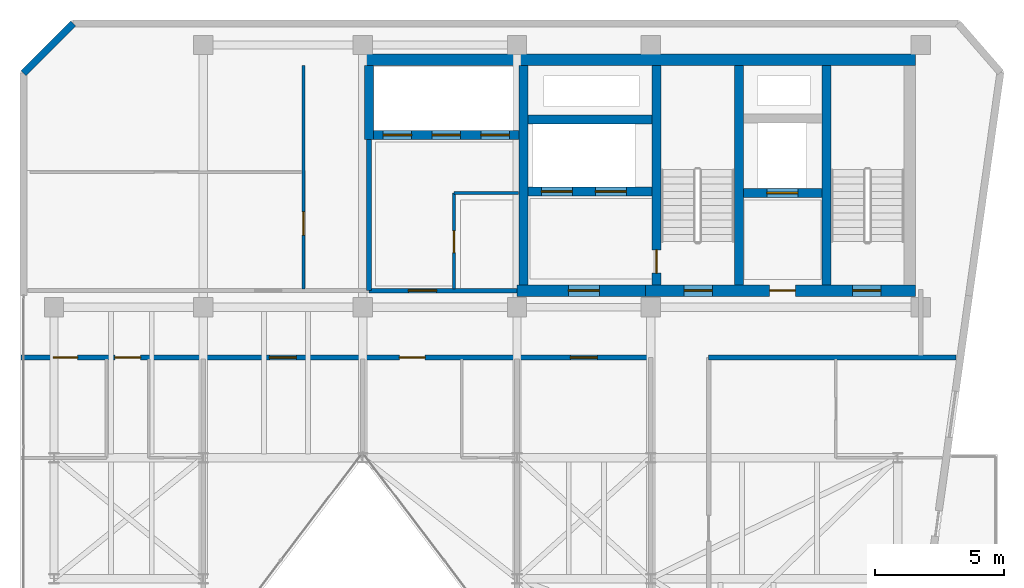
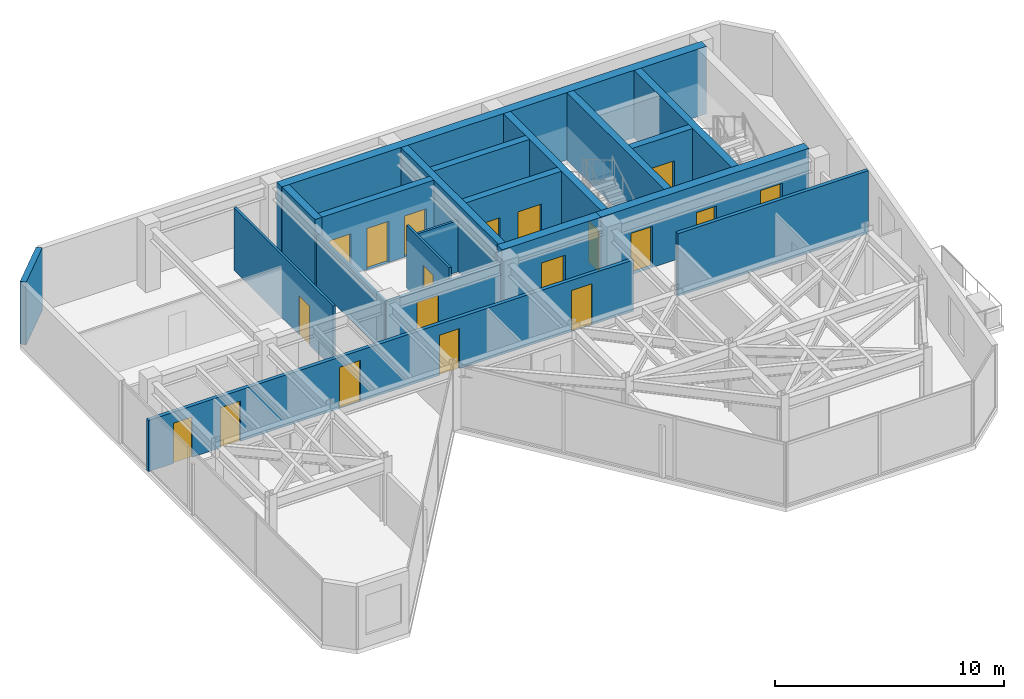
# One storey, part 14 of 17: 20 walls, 19 doors, 19 openings.
"""IFC4 building model written with IfcOpenShell, lengths in metres."""

from ifc_helpers import new_model, si_unit, direction, frame, frame_2d, origin, place, context, subcontext, project, spatial, rectangle, extrude, material, layer, layer_set, type_object, element, fill, save


model = new_model("IFC4")

# Units and contexts
model_context = context("Model", 3, precision=1e-05, world=origin(), true_north=direction((0.0, 1.0)))
body_context = subcontext(model_context, "Body", "Model", "MODEL_VIEW")
ifc_project = project(units=[si_unit("LENGTHUNIT", "METRE"), si_unit("AREAUNIT", "SQUARE_METRE"), si_unit("VOLUMEUNIT", "CUBIC_METRE"), si_unit("PLANEANGLEUNIT", "RADIAN"), si_unit("MASSUNIT", "GRAM", prefix="KILO")], contexts=[model_context])

# Site, building, storey
site_placement = place(None, origin())
site = spatial("IfcSite", under=ifc_project, at=site_placement, CompositionType="ELEMENT")
building_placement = place(site_placement, origin())
building = spatial("IfcBuilding", under=site, at=building_placement, Name="Kravanh Interchange Tower", CompositionType="ELEMENT")
storey_placement = place(building_placement, frame((0.0, 0.0, 293.10009765625)))
storey = spatial("IfcBuildingStorey", under=building, at=storey_placement, Name="L72", CompositionType="ELEMENT", Elevation=293.10009765625)

# Wall, opening, door
ifc_material_1 = material(Name="Double Acoustic Gypsum Board and Mineral Wool")
ifc_layer_1 = layer(ifc_material_1, 0.1201171875)
ifc_layer_set_1 = layer_set([ifc_layer_1], Name="Acoustic Office Drywall Partition 120mm")
wall_type_1 = type_object("IfcWallType", Name="Acoustic Office Drywall Partition 120mm", PredefinedType="PARTITIONING", material=ifc_layer_set_1)
wall_1_placement = place(storey_placement, frame((48.35009765625, 38.068115234375, 0.0), z_axis=(0.0, 0.0, 1.0), x_axis=(0.0, 1.0, 0.0)))
wall_1 = element("IfcWall", 1, at=wall_1_placement, inside=storey, type_object=wall_type_1, Name="L72 Interior Partition 2", PredefinedType="PARTITIONING", context=body_context, shape_type="SweptSolid", body=[
    extrude(rectangle(XDim=3.73193359375, YDim=0.1201171875, at=frame_2d((1.865966796875, 0.0))), origin(), (0.0, 0.0, 1.0), 3.349853515625),
])
opening_1_placement = place(wall_1_placement, frame((1.406982421875, 0.0, 0.0)))
opening_1 = element("IfcOpeningElement", 2, at=opening_1_placement, cuts=wall_1, Name="Opening D-85", PredefinedType="OPENING", context=body_context, shape_type="SweptSolid", body=[
    extrude(rectangle(XDim=0.85009765625, YDim=2.10009765625, at=frame_2d((0.425048828125, 1.050048828125))), frame((0.0, 0.070068359375, 0.0), z_axis=(0.0, -1.0, 0.0), x_axis=(1.0, 0.0, 0.0)), (0.0, 0.0, 1.0), 0.14013671875),
])
ifc_material_2 = material(Name="Engineered Teak Veneer Timber", Category="wood")
door_type_1 = type_object("IfcDoorType", Name="En-Suite Timber Door 850x2100", OperationType="NOTDEFINED", PredefinedType="DOOR", material=ifc_material_2)
door_1_placement = place(opening_1_placement, origin())
door_1 = element("IfcDoor", 3, at=door_1_placement, inside=storey, type_object=door_type_1, Name="L72 Core Electrical Closet Door", OperationType="SINGLE_SWING_LEFT", OverallHeight=2.10009765625, OverallWidth=0.85009765625, PredefinedType="DOOR", context=body_context, shape_type="SweptSolid", body=[
    extrude(rectangle(XDim=0.85009765625, YDim=2.10009765625, at=frame_2d((0.425048828125, 1.050048828125))), frame((0.0, 0.02490234375, 0.0), z_axis=(0.0, -1.0, 0.0), x_axis=(1.0, 0.0, 0.0)), (0.0, 0.0, 1.0), 0.050048828125),
])
fill(opening_1, door_1)

# Wall
wall_2_placement = place(storey_placement, frame((48.35009765625, 41.800048828125, 0.0), z_axis=(0.0, 0.0, 1.0), x_axis=(1.0, 0.0, 0.0)))
element("IfcWall", 4, at=wall_2_placement, inside=storey, type_object=wall_type_1, Name="L72 Interior Partition 3", PredefinedType="PARTITIONING", context=body_context, shape_type="SweptSolid", body=[
    extrude(rectangle(XDim=2.5, YDim=0.1201171875, at=frame_2d((1.25, 0.0))), origin(), (0.0, 0.0, 1.0), 2.739013671875),
])

# Wall, opening, door
wall_3_placement = place(storey_placement, frame((42.5, 38.068115234375, 0.0), z_axis=(0.0, 0.0, 1.0), x_axis=(0.0, 1.0, 0.0)))
wall_3 = element("IfcWall", 5, at=wall_3_placement, inside=storey, type_object=wall_type_1, Name="L72 Interior Partition 7", PredefinedType="PARTITIONING", context=body_context, shape_type="SweptSolid", body=[
    extrude(rectangle(XDim=8.681884765625, YDim=0.1201171875, at=frame_2d((4.3408203125, 0.0))), origin(), (0.0, 0.0, 1.0), 3.349853515625),
])
opening_2_placement = place(wall_3_placement, frame((2.09130859375, 0.0, 0.0)))
opening_2 = element("IfcOpeningElement", 6, at=opening_2_placement, cuts=wall_3, Name="Opening D-90", PredefinedType="OPENING", context=body_context, shape_type="SweptSolid", body=[
    extrude(rectangle(XDim=0.89990234375, YDim=2.10009765625, at=frame_2d((0.449951171875, 1.050048828125))), frame((0.0, 0.070068359375, 0.0), z_axis=(0.0, -1.0, 0.0), x_axis=(1.0, 0.0, 0.0)), (0.0, 0.0, 1.0), 0.14013671875),
])
ifc_material_3 = material(Name="Painted Solid-Core Timber", Category="wood")
door_type_2 = type_object("IfcDoorType", Name="Service Room Door 900x2100", OperationType="NOTDEFINED", PredefinedType="DOOR", material=ifc_material_3)
door_2_placement = place(opening_2_placement, origin())
door_2 = element("IfcDoor", 7, at=door_2_placement, inside=storey, type_object=door_type_2, Name="L72 Housekeeping Inner Door", OperationType="SINGLE_SWING_RIGHT", OverallHeight=2.10009765625, OverallWidth=0.89990234375, PredefinedType="DOOR", context=body_context, shape_type="SweptSolid", body=[
    extrude(rectangle(XDim=0.89990234375, YDim=2.10009765625, at=frame_2d((0.449951171875, 1.050048828125))), frame((0.0, 0.02490234375, 0.0), z_axis=(0.0, -1.0, 0.0), x_axis=(1.0, 0.0, 0.0)), (0.0, 0.0, 1.0), 0.050048828125),
])
fill(opening_2, door_2)

# Walls
ifc_material_4 = material(Name="Concrete C60/75", Category="concrete")
ifc_layer_2 = layer(ifc_material_4, 0.35009765625)
ifc_layer_set_2 = layer_set([ifc_layer_2], Name="Core Shear Wall Concrete C60/75 350mm")
wall_type_2 = type_object("IfcWallType", Name="Core Shear Wall Concrete C60/75 350mm", PredefinedType="SHEAR", material=ifc_layer_set_2)
for number, where, z_axis, x_axis, name in (
    (8, (62.824951171875, 38.22509765625, 0.0), (0.0, 0.0, 1.0), (0.0, 1.0, 0.0), "L72 Stair ST1 West Shear Wall"),
    (9, (59.425048828125, 38.22509765625, 0.0), (0.0, 0.0, 1.0), (0.0, 1.0, 0.0), "L72 Stair ST2 East Shear Wall"),
):
    element("IfcWall", number, at=place(storey_placement, frame(where, z_axis=z_axis, x_axis=x_axis)), inside=storey, type_object=wall_type_2, Name=name, PredefinedType="SHEAR", context=body_context, shape_type="SweptSolid", body=[
        extrude(rectangle(XDim=8.52490234375, YDim=0.35009765625, at=frame_2d((4.262451171875, 0.0))), origin(), (0.0, 0.0, 1.0), 3.599853515625),
    ])

# Wall, opening, door
wall_4_placement = place(storey_placement, frame((56.22509765625, 38.22509765625, 0.0), z_axis=(0.0, 0.0, 1.0), x_axis=(0.0, 1.0, 0.0)))
wall_4 = element("IfcWall", 10, at=wall_4_placement, inside=storey, type_object=wall_type_2, Name="L72 Stair ST2 West Shear Wall", PredefinedType="SHEAR", context=body_context, shape_type="SweptSolid", body=[
    extrude(rectangle(XDim=8.52490234375, YDim=0.35009765625, at=frame_2d((4.262451171875, 0.0))), origin(), (0.0, 0.0, 1.0), 3.599853515625),
])
opening_3_placement = place(wall_4_placement, frame((0.455078125, 0.0, 0.0)))
opening_3 = element("IfcOpeningElement", 11, at=opening_3_placement, cuts=wall_4, Name="Opening D-STAIR-90", PredefinedType="OPENING", context=body_context, shape_type="SweptSolid", body=[
    extrude(rectangle(XDim=0.89990234375, YDim=2.14990234375, at=frame_2d((0.449951171875, 1.074951171875))), frame((0.0, 0.18505859375, 0.0), z_axis=(0.0, -1.0, 0.0), x_axis=(1.0, 0.0, 0.0)), (0.0, 0.0, 1.0), 0.3701171875),
])
ifc_material_5 = material(Name="Structural Steel S355", Category="steel")
door_type_3 = type_object("IfcDoorType", Name="Fire-Rated Stair Lobby Door 900x2150", OperationType="NOTDEFINED", PredefinedType="DOOR", material=ifc_material_5)
door_3_placement = place(opening_3_placement, origin())
door_3 = element("IfcDoor", 12, at=door_3_placement, inside=storey, type_object=door_type_3, Name="L72 Firefighting Lobby to Stair ST2 Door", OperationType="SINGLE_SWING_LEFT", OverallHeight=2.14990234375, OverallWidth=0.89990234375, PredefinedType="DOOR", context=body_context, shape_type="SweptSolid", body=[
    extrude(rectangle(XDim=0.89990234375, YDim=2.14990234375, at=frame_2d((0.449951171875, 1.074951171875))), frame((0.0, 0.02490234375, 0.0), z_axis=(0.0, -1.0, 0.0), x_axis=(1.0, 0.0, 0.0)), (0.0, 0.0, 1.0), 0.050048828125),
])
fill(opening_3, door_3)

wall_5_placement = place(storey_placement, frame((59.60009765625, 41.800048828125, 0.0), z_axis=(0.0, 0.0, 1.0), x_axis=(1.0, 0.0, 0.0)))
wall_5 = element("IfcWall", 13, at=wall_5_placement, inside=storey, type_object=wall_type_2, Name="L72 Service Lift Shaft South Wall", PredefinedType="SHEAR", context=body_context, shape_type="SweptSolid", body=[
    extrude(rectangle(XDim=3.0498046875, YDim=0.35009765625, at=frame_2d((1.52490234375, 0.0))), origin(), (0.0, 0.0, 1.0), 3.599853515625),
])
opening_4_placement = place(wall_5_placement, frame((0.919921875, 0.0, 0.0)))
opening_4 = element("IfcOpeningElement", 14, at=opening_4_placement, cuts=wall_5, Name="Opening LD02", PredefinedType="OPENING", context=body_context, shape_type="SweptSolid", body=[
    extrude(rectangle(XDim=1.199951171875, YDim=2.199951171875, at=frame_2d((0.60009765625, 1.10009765625))), frame((0.0, 0.18505859375, 0.0), z_axis=(0.0, -1.0, 0.0), x_axis=(1.0, 0.0, 0.0)), (0.0, 0.0, 1.0), 0.3701171875),
])
ifc_material_6 = material(Name="Stainless Steel 316", Category="steel")
door_type_4 = type_object("IfcDoorType", Name="Fire and Service Lift Sliding Landing Door 1200x2200", OperationType="DOUBLE_DOOR_SLIDING", PredefinedType="DOOR", material=ifc_material_6)
door_4_placement = place(opening_4_placement, origin())
door_4 = element("IfcDoor", 15, at=door_4_placement, inside=storey, type_object=door_type_4, Name="L72 Lift LS-01 Landing Door", OperationType="DOUBLE_DOOR_SLIDING", OverallHeight=2.199951171875, OverallWidth=1.199951171875, PredefinedType="DOOR", context=body_context, shape_type="SweptSolid", body=[
    extrude(rectangle(XDim=1.199951171875, YDim=2.199951171875, at=frame_2d((0.60009765625, 1.10009765625))), frame((0.0, 0.02490234375, 0.0), z_axis=(0.0, -1.0, 0.0), x_axis=(1.0, 0.0, 0.0)), (0.0, 0.0, 1.0), 0.050048828125),
])
fill(opening_4, door_4)

# Wall, openings, doors
wall_6_placement = place(storey_placement, frame((51.22509765625, 41.85009765625, 0.0), z_axis=(0.0, 0.0, 1.0), x_axis=(1.0, 0.0, 0.0)))
wall_6 = element("IfcWall", 16, at=wall_6_placement, inside=storey, type_object=wall_type_2, Name="L72 Fire Lift Shaft South Wall", PredefinedType="SHEAR", context=body_context, shape_type="SweptSolid", body=[
    extrude(rectangle(XDim=4.824951171875, YDim=0.35009765625, at=frame_2d((2.41259765625, 0.0))), origin(), (0.0, 0.0, 1.0), 3.599853515625),
])
opening_5_placement = place(wall_6_placement, frame((0.52490234375, 0.0, 0.0)))
opening_5 = element("IfcOpeningElement", 17, at=opening_5_placement, cuts=wall_6, Name="Opening LD02", PredefinedType="OPENING", context=body_context, shape_type="SweptSolid", body=[
    extrude(rectangle(XDim=1.199951171875, YDim=2.199951171875, at=frame_2d((0.60009765625, 1.10009765625))), frame((0.0, 0.18505859375, 0.0), z_axis=(0.0, -1.0, 0.0), x_axis=(1.0, 0.0, 0.0)), (0.0, 0.0, 1.0), 0.3701171875),
])
opening_6_placement = place(wall_6_placement, frame((2.625, 0.0, 0.0)))
opening_6 = element("IfcOpeningElement", 18, at=opening_6_placement, cuts=wall_6, Name="Opening LD02", PredefinedType="OPENING", context=body_context, shape_type="SweptSolid", body=[
    extrude(rectangle(XDim=1.199951171875, YDim=2.199951171875, at=frame_2d((0.60009765625, 1.10009765625))), frame((0.0, 0.18505859375, 0.0), z_axis=(0.0, -1.0, 0.0), x_axis=(1.0, 0.0, 0.0)), (0.0, 0.0, 1.0), 0.3701171875),
])
door_5_placement = place(opening_5_placement, origin())
door_5 = element("IfcDoor", 19, at=door_5_placement, inside=storey, type_object=door_type_4, Name="L72 Lift FSAE-01 Landing Door", OperationType="DOUBLE_DOOR_SLIDING", OverallHeight=2.199951171875, OverallWidth=1.199951171875, PredefinedType="DOOR", context=body_context, shape_type="SweptSolid", body=[
    extrude(rectangle(XDim=1.199951171875, YDim=2.199951171875, at=frame_2d((0.60009765625, 1.10009765625))), frame((0.0, 0.02490234375, 0.0), z_axis=(0.0, -1.0, 0.0), x_axis=(1.0, 0.0, 0.0)), (0.0, 0.0, 1.0), 0.050048828125),
])
fill(opening_5, door_5)
door_6_placement = place(opening_6_placement, origin())
door_6 = element("IfcDoor", 20, at=door_6_placement, inside=storey, type_object=door_type_4, Name="L72 Lift FSAE-02 Landing Door", OperationType="DOUBLE_DOOR_SLIDING", OverallHeight=2.199951171875, OverallWidth=1.199951171875, PredefinedType="DOOR", context=body_context, shape_type="SweptSolid", body=[
    extrude(rectangle(XDim=1.199951171875, YDim=2.199951171875, at=frame_2d((0.60009765625, 1.10009765625))), frame((0.0, 0.02490234375, 0.0), z_axis=(0.0, -1.0, 0.0), x_axis=(1.0, 0.0, 0.0)), (0.0, 0.0, 1.0), 0.050048828125),
])
fill(opening_6, door_6)

# Walls
wall_7_placement = place(storey_placement, frame((51.22509765625, 44.64990234375, 0.0), z_axis=(0.0, 0.0, 1.0), x_axis=(1.0, 0.0, 0.0)))
element("IfcWall", 21, at=wall_7_placement, inside=storey, type_object=wall_type_2, Name="L72 Fire Lift Shaft North Wall", PredefinedType="SHEAR", context=body_context, shape_type="SweptSolid", body=[
    extrude(rectangle(XDim=4.824951171875, YDim=0.35009765625, at=frame_2d((2.41259765625, 0.0))), origin(), (0.0, 0.0, 1.0), 3.599853515625),
])
wall_8_placement = place(storey_placement, frame((51.050048828125, 38.22509765625, 0.0), z_axis=(0.0, 0.0, 1.0), x_axis=(0.0, 1.0, 0.0)))
element("IfcWall", 22, at=wall_8_placement, inside=storey, type_object=wall_type_2, Name="L72 Firefighting Lobby West Wall", PredefinedType="SHEAR", context=body_context, shape_type="SweptSolid", body=[
    extrude(rectangle(XDim=8.52490234375, YDim=0.35009765625, at=frame_2d((4.262451171875, 0.0))), origin(), (0.0, 0.0, 1.0), 3.599853515625),
])

# Wall, openings, doors
wall_9_placement = place(storey_placement, frame((45.22509765625, 44.050048828125, 0.0), z_axis=(0.0, 0.0, 1.0), x_axis=(1.0, 0.0, 0.0)))
wall_9 = element("IfcWall", 23, at=wall_9_placement, inside=storey, type_object=wall_type_2, Name="L72 High-Rise Lift Shaft South Wall", PredefinedType="SHEAR", context=body_context, shape_type="SweptSolid", body=[
    extrude(rectangle(XDim=5.64990234375, YDim=0.35009765625, at=frame_2d((2.824951171875, 0.0))), origin(), (0.0, 0.0, 1.0), 3.599853515625),
])
opening_7_placement = place(wall_9_placement, frame((0.375, 0.0, 0.0)))
opening_7 = element("IfcOpeningElement", 24, at=opening_7_placement, cuts=wall_9, Name="Opening LD01", PredefinedType="OPENING", context=body_context, shape_type="SweptSolid", body=[
    extrude(rectangle(XDim=1.10009765625, YDim=2.199951171875, at=frame_2d((0.550048828125, 1.10009765625))), frame((0.0, 0.18505859375, 0.0), z_axis=(0.0, -1.0, 0.0), x_axis=(1.0, 0.0, 0.0)), (0.0, 0.0, 1.0), 0.3701171875),
])
opening_8_placement = place(wall_9_placement, frame((2.27490234375, 0.0, 0.0)))
opening_8 = element("IfcOpeningElement", 25, at=opening_8_placement, cuts=wall_9, Name="Opening LD01", PredefinedType="OPENING", context=body_context, shape_type="SweptSolid", body=[
    extrude(rectangle(XDim=1.10009765625, YDim=2.199951171875, at=frame_2d((0.550048828125, 1.10009765625))), frame((0.0, 0.18505859375, 0.0), z_axis=(0.0, -1.0, 0.0), x_axis=(1.0, 0.0, 0.0)), (0.0, 0.0, 1.0), 0.3701171875),
])
opening_9_placement = place(wall_9_placement, frame((4.175048828125, 0.0, 0.0)))
opening_9 = element("IfcOpeningElement", 26, at=opening_9_placement, cuts=wall_9, Name="Opening LD01", PredefinedType="OPENING", context=body_context, shape_type="SweptSolid", body=[
    extrude(rectangle(XDim=1.10009765625, YDim=2.199951171875, at=frame_2d((0.550048828125, 1.10009765625))), frame((0.0, 0.18505859375, 0.0), z_axis=(0.0, -1.0, 0.0), x_axis=(1.0, 0.0, 0.0)), (0.0, 0.0, 1.0), 0.3701171875),
])
ifc_material_7 = material(Name="Stainless Steel 304", Category="steel")
door_type_5 = type_object("IfcDoorType", Name="Passenger Lift Sliding Landing Door 1100x2200", OperationType="DOUBLE_DOOR_SLIDING", PredefinedType="DOOR", material=ifc_material_7)
door_7_placement = place(opening_7_placement, origin())
door_7 = element("IfcDoor", 27, at=door_7_placement, inside=storey, type_object=door_type_5, Name="L72 Lift LP-H1 Landing Door", OperationType="DOUBLE_DOOR_SLIDING", OverallHeight=2.199951171875, OverallWidth=1.10009765625, PredefinedType="DOOR", context=body_context, shape_type="SweptSolid", body=[
    extrude(rectangle(XDim=1.10009765625, YDim=2.199951171875, at=frame_2d((0.550048828125, 1.10009765625))), frame((0.0, 0.02490234375, 0.0), z_axis=(0.0, -1.0, 0.0), x_axis=(1.0, 0.0, 0.0)), (0.0, 0.0, 1.0), 0.050048828125),
])
fill(opening_7, door_7)
door_8_placement = place(opening_8_placement, origin())
door_8 = element("IfcDoor", 28, at=door_8_placement, inside=storey, type_object=door_type_5, Name="L72 Lift LP-H2 Landing Door", OperationType="DOUBLE_DOOR_SLIDING", OverallHeight=2.199951171875, OverallWidth=1.10009765625, PredefinedType="DOOR", context=body_context, shape_type="SweptSolid", body=[
    extrude(rectangle(XDim=1.10009765625, YDim=2.199951171875, at=frame_2d((0.550048828125, 1.10009765625))), frame((0.0, 0.02490234375, 0.0), z_axis=(0.0, -1.0, 0.0), x_axis=(1.0, 0.0, 0.0)), (0.0, 0.0, 1.0), 0.050048828125),
])
fill(opening_8, door_8)
door_9_placement = place(opening_9_placement, origin())
door_9 = element("IfcDoor", 29, at=door_9_placement, inside=storey, type_object=door_type_5, Name="L72 Lift LP-H3 Landing Door", OperationType="DOUBLE_DOOR_SLIDING", OverallHeight=2.199951171875, OverallWidth=1.10009765625, PredefinedType="DOOR", context=body_context, shape_type="SweptSolid", body=[
    extrude(rectangle(XDim=1.10009765625, YDim=2.199951171875, at=frame_2d((0.550048828125, 1.10009765625))), frame((0.0, 0.02490234375, 0.0), z_axis=(0.0, -1.0, 0.0), x_axis=(1.0, 0.0, 0.0)), (0.0, 0.0, 1.0), 0.050048828125),
])
fill(opening_9, door_9)

# Walls
wall_10_placement = place(storey_placement, frame((45.050048828125, 43.875, 0.0), z_axis=(0.0, 0.0, 1.0), x_axis=(0.0, 1.0, 0.0)))
element("IfcWall", 30, at=wall_10_placement, inside=storey, type_object=wall_type_2, Name="L72 High-Rise Lift Shaft West Wall", PredefinedType="SHEAR", context=body_context, shape_type="SweptSolid", body=[
    extrude(rectangle(XDim=2.875, YDim=0.35009765625, at=frame_2d((1.4375, 0.0))), origin(), (0.0, 0.0, 1.0), 3.599853515625),
])
ifc_material_8 = material(Name="Concrete C60/75", Category="concrete")
ifc_layer_3 = layer(ifc_material_8, 0.449951171875)
ifc_layer_set_3 = layer_set([ifc_layer_3], Name="Core Shear Wall Concrete C60/75 450mm")
wall_type_3 = type_object("IfcWallType", Name="Core Shear Wall Concrete C60/75 450mm", PredefinedType="SHEAR", material=ifc_layer_set_3)
wall_11_placement = place(storey_placement, frame((44.85009765625, 46.97509765625, 0.0), z_axis=(0.0, 0.0, 1.0), x_axis=(1.0, 0.0, 0.0)))
element("IfcWall", 31, at=wall_11_placement, inside=storey, type_object=wall_type_3, Name="L72 North Core Shear Wall", PredefinedType="SHEAR", context=body_context, shape_type="SweptSolid", body=[
    extrude(rectangle(XDim=21.449951171875, YDim=0.449951171875, at=frame_2d((10.72509765625, 0.0))), origin(), (0.0, 0.0, 1.0), 3.599853515625),
])

# Wall, openings, doors
wall_12_placement = place(storey_placement, frame((55.800048828125, 38.0, 0.0), z_axis=(0.0, 0.0, 1.0), x_axis=(1.0, 0.0, 0.0)))
wall_12 = element("IfcWall", 32, at=wall_12_placement, inside=storey, type_object=wall_type_3, Name="L72 East Core South Shear Wall", PredefinedType="SHEAR", context=body_context, shape_type="SweptSolid", body=[
    extrude(rectangle(XDim=10.5, YDim=0.449951171875, at=frame_2d((5.25, 0.0))), origin(), (0.0, 0.0, 1.0), 3.599853515625),
])
opening_10_placement = place(wall_12_placement, frame((1.5, 0.0, 0.0)))
opening_10 = element("IfcOpeningElement", 33, at=opening_10_placement, cuts=wall_12, Name="Opening D-STAIR-110", PredefinedType="OPENING", context=body_context, shape_type="SweptSolid", body=[
    extrude(rectangle(XDim=1.10009765625, YDim=2.199951171875, at=frame_2d((0.550048828125, 1.10009765625))), frame((0.0, 0.23486328125, 0.0), z_axis=(0.0, -1.0, 0.0), x_axis=(1.0, 0.0, 0.0)), (0.0, 0.0, 1.0), 0.469970703125),
])
opening_11_placement = place(wall_12_placement, frame((4.820068359375, 0.0, 0.0)))
opening_11 = element("IfcOpeningElement", 34, at=opening_11_placement, cuts=wall_12, Name="Opening D-HOTEL-100", PredefinedType="OPENING", context=body_context, shape_type="SweptSolid", body=[
    extrude(rectangle(XDim=1.0, YDim=2.14990234375, at=frame_2d((0.5, 1.074951171875))), frame((0.0, 0.23486328125, 0.0), z_axis=(0.0, -1.0, 0.0), x_axis=(1.0, 0.0, 0.0)), (0.0, 0.0, 1.0), 0.469970703125),
])
opening_12_placement = place(wall_12_placement, frame((8.050048828125, 0.0, 0.0)))
opening_12 = element("IfcOpeningElement", 35, at=opening_12_placement, cuts=wall_12, Name="Opening D-STAIR-110", PredefinedType="OPENING", context=body_context, shape_type="SweptSolid", body=[
    extrude(rectangle(XDim=1.10009765625, YDim=2.199951171875, at=frame_2d((0.550048828125, 1.10009765625))), frame((0.0, 0.23486328125, 0.0), z_axis=(0.0, -1.0, 0.0), x_axis=(1.0, 0.0, 0.0)), (0.0, 0.0, 1.0), 0.469970703125),
])
ifc_material_9 = material(Name="Structural Steel S355", Category="steel")
door_type_6 = type_object("IfcDoorType", Name="Fire-Rated Exit Stair Door 1100x2200", OperationType="NOTDEFINED", PredefinedType="DOOR", material=ifc_material_9)
door_10_placement = place(opening_10_placement, origin())
door_10 = element("IfcDoor", 36, at=door_10_placement, inside=storey, type_object=door_type_6, Name="L72 Exit Stair ST2 Door", OperationType="SINGLE_SWING_RIGHT", OverallHeight=2.199951171875, OverallWidth=1.10009765625, PredefinedType="DOOR", context=body_context, shape_type="SweptSolid", body=[
    extrude(rectangle(XDim=1.10009765625, YDim=2.199951171875, at=frame_2d((0.550048828125, 1.10009765625))), frame((0.0, 0.02490234375, 0.0), z_axis=(0.0, -1.0, 0.0), x_axis=(1.0, 0.0, 0.0)), (0.0, 0.0, 1.0), 0.050048828125),
])
fill(opening_10, door_10)
door_11_placement = place(opening_12_placement, origin())
door_11 = element("IfcDoor", 37, at=door_11_placement, inside=storey, type_object=door_type_6, Name="L72 Exit Stair ST1 Door", OperationType="SINGLE_SWING_RIGHT", OverallHeight=2.199951171875, OverallWidth=1.10009765625, PredefinedType="DOOR", context=body_context, shape_type="SweptSolid", body=[
    extrude(rectangle(XDim=1.10009765625, YDim=2.199951171875, at=frame_2d((0.550048828125, 1.10009765625))), frame((0.0, 0.02490234375, 0.0), z_axis=(0.0, -1.0, 0.0), x_axis=(1.0, 0.0, 0.0)), (0.0, 0.0, 1.0), 0.050048828125),
])
fill(opening_12, door_11)
ifc_material_10 = material(Name="Fire-Rated Solid Timber Leaf", Category="wood")
door_type_7 = type_object("IfcDoorType", Name="Fire-Rated Suite Entrance Door 1000x2150", OperationType="NOTDEFINED", PredefinedType="DOOR", material=ifc_material_10)
door_12_placement = place(opening_11_placement, origin())
door_12 = element("IfcDoor", 38, at=door_12_placement, inside=storey, type_object=door_type_7, Name="L72 Service Lift Lobby Door", OperationType="SINGLE_SWING_RIGHT", OverallHeight=2.14990234375, OverallWidth=1.0, PredefinedType="DOOR", context=body_context, shape_type="SweptSolid", body=[
    extrude(rectangle(XDim=1.0, YDim=2.14990234375, at=frame_2d((0.5, 1.074951171875))), frame((0.0, 0.02490234375, 0.0), z_axis=(0.0, -1.0, 0.0), x_axis=(1.0, 0.0, 0.0)), (0.0, 0.0, 1.0), 0.050048828125),
])
fill(opening_11, door_12)

# Wall, opening, door
wall_13_placement = place(storey_placement, frame((50.800048828125, 38.0, 0.0), z_axis=(0.0, 0.0, 1.0), x_axis=(1.0, 0.0, 0.0)))
wall_13 = element("IfcWall", 39, at=wall_13_placement, inside=storey, type_object=wall_type_3, Name="L72 Firefighting Lobby South Shear Wall", PredefinedType="SHEAR", context=body_context, shape_type="SweptSolid", body=[
    extrude(rectangle(XDim=5.0, YDim=0.449951171875, at=frame_2d((2.5, 0.0))), origin(), (0.0, 0.0, 1.0), 3.599853515625),
])
opening_13_placement = place(wall_13_placement, frame((2.0, 0.0, 0.0)))
opening_13 = element("IfcOpeningElement", 40, at=opening_13_placement, cuts=wall_13, Name="Opening D-FSAE-120", PredefinedType="OPENING", context=body_context, shape_type="SweptSolid", body=[
    extrude(rectangle(XDim=1.199951171875, YDim=2.199951171875, at=frame_2d((0.60009765625, 1.10009765625))), frame((0.0, 0.23486328125, 0.0), z_axis=(0.0, -1.0, 0.0), x_axis=(1.0, 0.0, 0.0)), (0.0, 0.0, 1.0), 0.469970703125),
])
ifc_material_11 = material(Name="Structural Steel S355", Category="steel")
door_type_8 = type_object("IfcDoorType", Name="Fire-Rated Refuge and FSAE Door 1200x2200", OperationType="NOTDEFINED", PredefinedType="DOOR", material=ifc_material_11)
door_13_placement = place(opening_13_placement, origin())
door_13 = element("IfcDoor", 41, at=door_13_placement, inside=storey, type_object=door_type_8, Name="L72 Firefighting Lobby Corridor Door", OperationType="SINGLE_SWING_RIGHT", OverallHeight=2.199951171875, OverallWidth=1.199951171875, PredefinedType="DOOR", context=body_context, shape_type="SweptSolid", body=[
    extrude(rectangle(XDim=1.199951171875, YDim=2.199951171875, at=frame_2d((0.60009765625, 1.10009765625))), frame((0.0, 0.02490234375, 0.0), z_axis=(0.0, -1.0, 0.0), x_axis=(1.0, 0.0, 0.0)), (0.0, 0.0, 1.0), 0.050048828125),
])
fill(opening_13, door_13)

# Wall
ifc_material_12 = material(Name="Insulated Precast Concrete C40/50 with Bronze Cladding", Category="concrete")
ifc_layer_4 = layer(ifc_material_12, 0.280029296875)
ifc_layer_set_4 = layer_set([ifc_layer_4], Name="Exterior Insulated Concrete C40/50 Bronze Spandrel Wall 280mm")
wall_type_4 = type_object("IfcWallType", Name="Exterior Insulated Concrete C40/50 Bronze Spandrel Wall 280mm", PredefinedType="STANDARD", material=ifc_layer_set_4)
wall_14_placement = place(storey_placement, frame((31.6201171875, 46.4501953125, 0.0), z_axis=(0.0, 0.0, 1.0), x_axis=(0.707106781187, 0.707106781187, 0.0)))
element("IfcWall", 42, at=wall_14_placement, inside=storey, type_object=wall_type_4, Name="L72 Exterior Wall 2", PredefinedType="STANDARD", context=body_context, shape_type="SweptSolid", body=[
    extrude(rectangle(XDim=2.72900390625, YDim=0.280029296875, at=frame_2d((1.364501953125, 0.0))), origin(), (0.0, 0.0, 1.0), 3.349853515625),
])

# Wall, opening, door
ifc_material_13 = material(Name="Autoclaved Aerated Concrete C30/37 Blockwork", Category="masonry")
ifc_layer_5 = layer(ifc_material_13, 0.179931640625)
ifc_layer_set_5 = layer_set([ifc_layer_5], Name="Fire-Rated Lobby and Corridor Wall Concrete C30/37 180mm")
wall_type_5 = type_object("IfcWallType", Name="Fire-Rated Lobby and Corridor Wall Concrete C30/37 180mm", PredefinedType="STANDARD", material=ifc_layer_set_5)
wall_15_placement = place(storey_placement, frame((45.050048828125, 38.0, 0.0), z_axis=(0.0, 0.0, 1.0), x_axis=(1.0, 0.0, 0.0)))
wall_15 = element("IfcWall", 43, at=wall_15_placement, inside=storey, type_object=wall_type_5, Name="L72 High-Rise Lift Lobby Wall 1", PredefinedType="STANDARD", context=body_context, shape_type="SweptSolid", body=[
    extrude(rectangle(XDim=5.75, YDim=0.179931640625, at=frame_2d((2.875, 0.0))), origin(), (0.0, 0.0, 1.0), 2.739013671875),
])
opening_14_placement = place(wall_15_placement, frame((1.52490234375, 0.0, 0.0)))
opening_14 = element("IfcOpeningElement", 44, at=opening_14_placement, cuts=wall_15, Name="Opening D-SHAFT-110", PredefinedType="OPENING", context=body_context, shape_type="SweptSolid", body=[
    extrude(rectangle(XDim=1.10009765625, YDim=2.199951171875, at=frame_2d((0.550048828125, 1.10009765625))), frame((0.0, 0.10009765625, 0.0), z_axis=(0.0, -1.0, 0.0), x_axis=(1.0, 0.0, 0.0)), (0.0, 0.0, 1.0), 0.199951171875),
])
ifc_material_14 = material(Name="Fire-Rated Composite Timber Leaf", Category="wood")
door_type_9 = type_object("IfcDoorType", Name="Fire-Rated Core Support Door 1100x2200", OperationType="NOTDEFINED", PredefinedType="DOOR", material=ifc_material_14)
door_14_placement = place(opening_14_placement, origin())
door_14 = element("IfcDoor", 45, at=door_14_placement, inside=storey, type_object=door_type_9, Name="L72 High-Rise Lift Lobby Door", OperationType="SINGLE_SWING_RIGHT", OverallHeight=2.199951171875, OverallWidth=1.10009765625, PredefinedType="DOOR", context=body_context, shape_type="SweptSolid", body=[
    extrude(rectangle(XDim=1.10009765625, YDim=2.199951171875, at=frame_2d((0.550048828125, 1.10009765625))), frame((0.0, 0.02490234375, 0.0), z_axis=(0.0, -1.0, 0.0), x_axis=(1.0, 0.0, 0.0)), (0.0, 0.0, 1.0), 0.050048828125),
])
fill(opening_14, door_14)

# Wall
wall_16_placement = place(storey_placement, frame((45.050048828125, 38.0, 0.0), z_axis=(0.0, 0.0, 1.0), x_axis=(0.0, 1.0, 0.0)))
element("IfcWall", 46, at=wall_16_placement, inside=storey, type_object=wall_type_5, Name="L72 Interior Partition 4", PredefinedType="STANDARD", context=body_context, shape_type="SweptSolid", body=[
    extrude(rectangle(XDim=5.875, YDim=0.179931640625, at=frame_2d((2.9375, 0.0))), origin(), (0.0, 0.0, 1.0), 2.739013671875),
])

# Wall, openings, doors
wall_17_placement = place(storey_placement, frame((31.514892578125, 35.39990234375, 0.0), z_axis=(0.0, 0.0, 1.0), x_axis=(1.0, 0.0, 0.0)))
wall_17 = element("IfcWall", 47, at=wall_17_placement, inside=storey, type_object=wall_type_5, Name="L72 Interior Partition 9", PredefinedType="STANDARD", context=body_context, shape_type="SweptSolid", body=[
    extrude(rectangle(XDim=24.485107421875, YDim=0.179931640625, at=frame_2d((12.24267578125, 0.0))), origin(), (0.0, 0.0, 1.0), 2.739013671875),
])
opening_15_placement = place(wall_17_placement, frame((1.25927734375, 0.0, 0.0)))
opening_15 = element("IfcOpeningElement", 48, at=opening_15_placement, cuts=wall_17, Name="Opening D-95", PredefinedType="OPENING", context=body_context, shape_type="SweptSolid", body=[
    extrude(rectangle(XDim=0.949951171875, YDim=2.14990234375, at=frame_2d((0.47509765625, 1.074951171875))), frame((0.0, 0.10009765625, 0.0), z_axis=(0.0, -1.0, 0.0), x_axis=(1.0, 0.0, 0.0)), (0.0, 0.0, 1.0), 0.199951171875),
])
opening_16_placement = place(wall_17_placement, frame((3.64990234375, 0.0, 0.0)))
opening_16 = element("IfcOpeningElement", 49, at=opening_16_placement, cuts=wall_17, Name="Opening D-HOTEL-100", PredefinedType="OPENING", context=body_context, shape_type="SweptSolid", body=[
    extrude(rectangle(XDim=1.0, YDim=2.14990234375, at=frame_2d((0.5, 1.074951171875))), frame((0.0, 0.10009765625, 0.0), z_axis=(0.0, -1.0, 0.0), x_axis=(1.0, 0.0, 0.0)), (0.0, 0.0, 1.0), 0.199951171875),
])
opening_17_placement = place(wall_17_placement, frame((9.659912109375, 0.0, 0.0)))
opening_17 = element("IfcOpeningElement", 50, at=opening_17_placement, cuts=wall_17, Name="Opening D-105", PredefinedType="OPENING", context=body_context, shape_type="SweptSolid", body=[
    extrude(rectangle(XDim=1.050048828125, YDim=2.199951171875, at=frame_2d((0.52490234375, 1.10009765625))), frame((0.0, 0.10009765625, 0.0), z_axis=(0.0, -1.0, 0.0), x_axis=(1.0, 0.0, 0.0)), (0.0, 0.0, 1.0), 0.199951171875),
])
opening_18_placement = place(wall_17_placement, frame((14.7099609375, 0.0, 0.0)))
opening_18 = element("IfcOpeningElement", 51, at=opening_18_placement, cuts=wall_17, Name="Opening D-HOTEL-100", PredefinedType="OPENING", context=body_context, shape_type="SweptSolid", body=[
    extrude(rectangle(XDim=1.0, YDim=2.14990234375, at=frame_2d((0.5, 1.074951171875))), frame((0.0, 0.10009765625, 0.0), z_axis=(0.0, -1.0, 0.0), x_axis=(1.0, 0.0, 0.0)), (0.0, 0.0, 1.0), 0.199951171875),
])
opening_19_placement = place(wall_17_placement, frame((21.360107421875, 0.0, 0.0)))
opening_19 = element("IfcOpeningElement", 52, at=opening_19_placement, cuts=wall_17, Name="Opening D-105", PredefinedType="OPENING", context=body_context, shape_type="SweptSolid", body=[
    extrude(rectangle(XDim=1.050048828125, YDim=2.199951171875, at=frame_2d((0.52490234375, 1.10009765625))), frame((0.0, 0.10009765625, 0.0), z_axis=(0.0, -1.0, 0.0), x_axis=(1.0, 0.0, 0.0)), (0.0, 0.0, 1.0), 0.199951171875),
])
ifc_material_15 = material(Name="Laminate Solid-Core Timber", Category="wood")
door_type_10 = type_object("IfcDoorType", Name="Accessible Restroom Door 950x2150", OperationType="NOTDEFINED", PredefinedType="DOOR", material=ifc_material_15)
door_15_placement = place(opening_15_placement, origin())
door_15 = element("IfcDoor", 53, at=door_15_placement, inside=storey, type_object=door_type_10, Name="L72 Accessible WC Door", OperationType="SINGLE_SWING_LEFT", OverallHeight=2.14990234375, OverallWidth=0.949951171875, PredefinedType="DOOR", context=body_context, shape_type="SweptSolid", body=[
    extrude(rectangle(XDim=0.949951171875, YDim=2.14990234375, at=frame_2d((0.47509765625, 1.074951171875))), frame((0.0, 0.02490234375, 0.0), z_axis=(0.0, -1.0, 0.0), x_axis=(1.0, 0.0, 0.0)), (0.0, 0.0, 1.0), 0.050048828125),
])
fill(opening_15, door_15)
door_16_placement = place(opening_16_placement, origin())
door_16 = element("IfcDoor", 54, at=door_16_placement, inside=storey, type_object=door_type_7, Name="L72 Hotel Guest Room 7A Entrance Door", OperationType="SINGLE_SWING_RIGHT", OverallHeight=2.14990234375, OverallWidth=1.0, PredefinedType="DOOR", context=body_context, shape_type="SweptSolid", body=[
    extrude(rectangle(XDim=1.0, YDim=2.14990234375, at=frame_2d((0.5, 1.074951171875))), frame((0.0, 0.02490234375, 0.0), z_axis=(0.0, -1.0, 0.0), x_axis=(1.0, 0.0, 0.0)), (0.0, 0.0, 1.0), 0.050048828125),
])
fill(opening_16, door_16)
door_17_placement = place(opening_18_placement, origin())
door_17 = element("IfcDoor", 55, at=door_17_placement, inside=storey, type_object=door_type_7, Name="L72 Junior Hotel Suite Entrance Door", OperationType="SINGLE_SWING_LEFT", OverallHeight=2.14990234375, OverallWidth=1.0, PredefinedType="DOOR", context=body_context, shape_type="SweptSolid", body=[
    extrude(rectangle(XDim=1.0, YDim=2.14990234375, at=frame_2d((0.5, 1.074951171875))), frame((0.0, 0.02490234375, 0.0), z_axis=(0.0, -1.0, 0.0), x_axis=(1.0, 0.0, 0.0)), (0.0, 0.0, 1.0), 0.050048828125),
])
fill(opening_18, door_17)
ifc_material_16 = material(Name="Acoustic Glazed Oak and Aluminium", Category="aluminium")
door_type_11 = type_object("IfcDoorType", Name="Office Workplace Door 1050x2200", OperationType="NOTDEFINED", PredefinedType="DOOR", material=ifc_material_16)
door_18_placement = place(opening_17_placement, origin())
door_18 = element("IfcDoor", 56, at=door_18_placement, inside=storey, type_object=door_type_11, Name="L72 Wellness Salon Lounge Door", OperationType="SINGLE_SWING_RIGHT", OverallHeight=2.199951171875, OverallWidth=1.050048828125, PredefinedType="DOOR", context=body_context, shape_type="SweptSolid", body=[
    extrude(rectangle(XDim=1.050048828125, YDim=2.199951171875, at=frame_2d((0.52490234375, 1.10009765625))), frame((0.0, 0.02490234375, 0.0), z_axis=(0.0, -1.0, 0.0), x_axis=(1.0, 0.0, 0.0)), (0.0, 0.0, 1.0), 0.050048828125),
])
fill(opening_17, door_18)
door_19_placement = place(opening_19_placement, origin())
door_19 = element("IfcDoor", 57, at=door_19_placement, inside=storey, type_object=door_type_11, Name="L72 Botanical Study 7B Door", OperationType="SINGLE_SWING_LEFT", OverallHeight=2.199951171875, OverallWidth=1.050048828125, PredefinedType="DOOR", context=body_context, shape_type="SweptSolid", body=[
    extrude(rectangle(XDim=1.050048828125, YDim=2.199951171875, at=frame_2d((0.52490234375, 1.10009765625))), frame((0.0, 0.02490234375, 0.0), z_axis=(0.0, -1.0, 0.0), x_axis=(1.0, 0.0, 0.0)), (0.0, 0.0, 1.0), 0.050048828125),
])
fill(opening_19, door_19)

# Wall
wall_18_placement = place(storey_placement, frame((58.25, 35.39990234375, 0.0), z_axis=(0.0, 0.0, 1.0), x_axis=(1.0, 0.0, 0.0)))
element("IfcWall", 58, at=wall_18_placement, inside=storey, type_object=wall_type_5, Name="L72 Interior Partition 10", PredefinedType="STANDARD", context=body_context, shape_type="SweptSolid", body=[
    extrude(rectangle(XDim=9.62109375, YDim=0.179931640625, at=frame_2d((4.810546875, 0.0))), origin(), (0.0, 0.0, 1.0), 3.349853515625),
])

save(model, "model.ifc")
